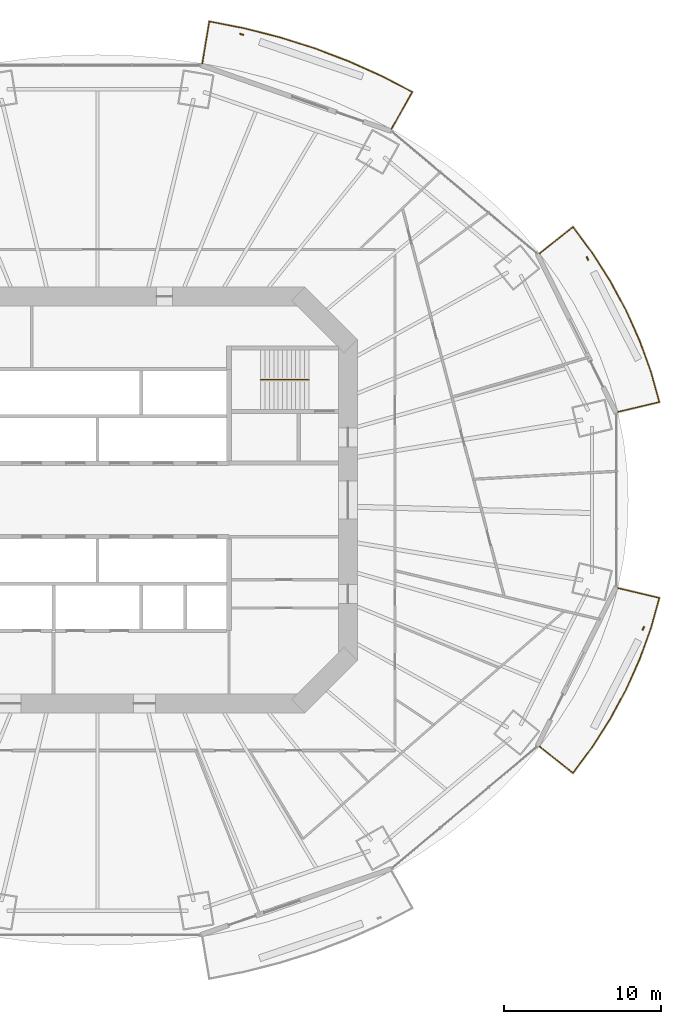
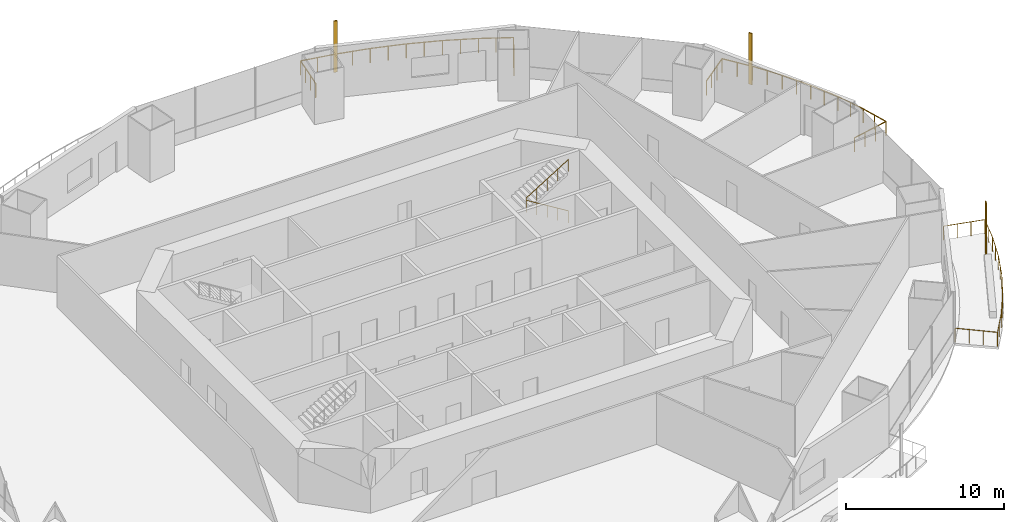
# One storey, part 20 of 21: 4 railings, 3 shading devices.
"""IFC4 building model written with IfcOpenShell, lengths in metres."""

from ifc_helpers import new_model, si_unit, direction, frame, origin, origin_2d, place, context, subcontext, project, spatial, rectangle, circle, extrude, material, material_profile, profile_set, type_object, element, save


model = new_model("IFC4")

# Units and contexts
model_context = context("Model", 3, precision=1e-05, world=origin(), true_north=direction((0.0, 1.0)))
body_context = subcontext(model_context, "Body", "Model", "MODEL_VIEW")
ifc_project = project(units=[si_unit("LENGTHUNIT", "METRE"), si_unit("AREAUNIT", "SQUARE_METRE"), si_unit("VOLUMEUNIT", "CUBIC_METRE"), si_unit("PLANEANGLEUNIT", "RADIAN"), si_unit("MASSUNIT", "GRAM", prefix="KILO")], contexts=[model_context])

# Site, building, storey
site_placement = place(None, origin())
site = spatial("IfcSite", under=ifc_project, at=site_placement, CompositionType="ELEMENT")
building_placement = place(site_placement, origin())
building = spatial("IfcBuilding", under=site, at=building_placement, Name="Marenthal Gate Tower", CompositionType="ELEMENT")
storey_placement = place(building_placement, frame((0.0, 0.0, 128.449951171875)))
storey = spatial("IfcBuildingStorey", under=building, at=storey_placement, Name="L27", CompositionType="ELEMENT", Elevation=128.449951171875)

# Railings
ifc_material_1 = material(Name="Stainless steel", Category="steel")
railing_type_1 = type_object("IfcRailingType", Name="Balcony guard 1100", PredefinedType="GUARDRAIL", material=ifc_material_1)
railing_1_placement = place(storey_placement, frame((28.239990234375, 15.739013671875, 0.0)))
element("IfcRailing", 1, at=railing_1_placement, inside=storey, type_object=railing_type_1, Name="Balcony guard L27 bay 1", PredefinedType="GUARDRAIL", context=body_context, shape_type="SweptSolid", body=[
    extrude(circle(Radius=0.02392578125, at=origin_2d()), frame((0.0, 0.0, 1.076171875), z_axis=(0.782384075223, 0.622622270256, -0.014719626974), x_axis=(-0.622689732199, 0.782468847568, 0.0)), (0.0, 0.0, 1.0), 2.72021484375),
    extrude(circle(Radius=0.02392578125, at=origin_2d()), frame((2.128173828125, 1.693603515625, 1.0361328125), z_axis=(0.594457150675, -0.804127288438, 0.0), x_axis=(0.804127288438, 0.594457150675, 0.0)), (0.0, 0.0, 1.0), 2.077392578125),
    extrude(circle(Radius=0.02392578125, at=origin_2d()), frame((3.363037109375, 0.023193359375, 1.0361328125), z_axis=(0.537259241166, -0.843417161185, 0.0), x_axis=(0.843417161185, 0.537259241166, 0.0)), (0.0, 0.0, 1.0), 2.140380859375),
    extrude(circle(Radius=0.02392578125, at=origin_2d()), frame((4.512939453125, -1.781982421875, 1.0361328125), z_axis=(0.475168488039, -0.879894827792, 0.0), x_axis=(0.879894827792, 0.475168488039, 0.0)), (0.0, 0.0, 1.0), 2.12451171875),
    extrude(circle(Radius=0.02392578125, at=origin_2d()), frame((5.5224609375, -3.6513671875, 1.0361328125), z_axis=(0.409344821555, -0.912379754853, 0.0), x_axis=(0.912379754853, 0.409344821555, 0.0)), (0.0, 0.0, 1.0), 2.11083984375),
    extrude(circle(Radius=0.02392578125, at=origin_2d()), frame((6.386474609375, -5.5771484375, 1.0361328125), z_axis=(0.340033207947, -0.940413429026, 0.0), x_axis=(0.940413429026, 0.340033207947, 0.0)), (0.0, 0.0, 1.0), 2.0986328125),
    extrude(circle(Radius=0.02392578125, at=origin_2d()), frame((7.10009765625, -7.55078125, 1.0361328125), z_axis=(0.269210641776, -0.963081320738, 0.0), x_axis=(0.963081320738, 0.269210641776, 0.0)), (0.0, 0.0, 1.0), 2.0087890625),
    extrude(circle(Radius=0.02392578125, at=origin_2d()), frame((7.640869140625, -9.4853515625, 1.0361328125), z_axis=(-0.972966930586, -0.230474963356, 0.014718806071), x_axis=(0.230499932836, -0.973072341074, 0.0)), (0.0, 0.0, 1.0), 2.72021484375),
    extrude(circle(Radius=0.02099609375, at=origin_2d()), origin(), (0.0, 0.0, 1.0), 1.052001953125),
    extrude(circle(Radius=0.02099609375, at=origin_2d()), frame((0.70947265625, 0.564453125, -0.013427734375)), (0.0, 0.0, 1.0), 1.052001953125),
    extrude(circle(Radius=0.02099609375, at=origin_2d()), frame((1.418701171875, 1.129150390625, -0.026611328125)), (0.0, 0.0, 1.0), 1.052001953125),
    extrude(circle(Radius=0.02099609375, at=origin_2d()), frame((2.128173828125, 1.693603515625, -0.0400390625)), (0.0, 0.0, 1.0), 1.052001953125),
    extrude(circle(Radius=0.02099609375, at=origin_2d()), frame((2.74560546875, 0.8583984375, -0.0400390625)), (0.0, 0.0, 1.0), 1.052001953125),
    extrude(circle(Radius=0.02099609375, at=origin_2d()), frame((3.363037109375, 0.023193359375, -0.0400390625)), (0.0, 0.0, 1.0), 1.052001953125),
    extrude(circle(Radius=0.02099609375, at=origin_2d()), frame((3.93798828125, -0.87939453125, -0.0400390625)), (0.0, 0.0, 1.0), 1.052001953125),
    extrude(circle(Radius=0.02099609375, at=origin_2d()), frame((4.512939453125, -1.781982421875, -0.0400390625)), (0.0, 0.0, 1.0), 1.052001953125),
    extrude(circle(Radius=0.02099609375, at=origin_2d()), frame((5.017578125, -2.716796875, -0.0400390625)), (0.0, 0.0, 1.0), 1.052001953125),
    extrude(circle(Radius=0.02099609375, at=origin_2d()), frame((5.5224609375, -3.6513671875, -0.0400390625)), (0.0, 0.0, 1.0), 1.052001953125),
    extrude(circle(Radius=0.02099609375, at=origin_2d()), frame((5.95458984375, -4.6142578125, -0.0400390625)), (0.0, 0.0, 1.0), 1.052001953125),
    extrude(circle(Radius=0.02099609375, at=origin_2d()), frame((6.386474609375, -5.5771484375, -0.0400390625)), (0.0, 0.0, 1.0), 1.052001953125),
    extrude(circle(Radius=0.02099609375, at=origin_2d()), frame((6.7431640625, -6.56396484375, -0.0400390625)), (0.0, 0.0, 1.0), 1.052001953125),
    extrude(circle(Radius=0.02099609375, at=origin_2d()), frame((7.10009765625, -7.55078125, -0.0400390625)), (0.0, 0.0, 1.0), 1.052001953125),
    extrude(circle(Radius=0.02099609375, at=origin_2d()), frame((7.37060546875, -8.51806640625, -0.0400390625)), (0.0, 0.0, 1.0), 1.052001953125),
    extrude(circle(Radius=0.02099609375, at=origin_2d()), frame((7.640869140625, -9.4853515625, -0.0400390625)), (0.0, 0.0, 1.0), 1.052001953125),
    extrude(circle(Radius=0.02099609375, at=origin_2d()), frame((6.758544921875, -9.6943359375, -0.026611328125)), (0.0, 0.0, 1.0), 1.052001953125),
    extrude(circle(Radius=0.02099609375, at=origin_2d()), frame((5.87646484375, -9.9033203125, -0.013427734375)), (0.0, 0.0, 1.0), 1.052001953125),
    extrude(circle(Radius=0.02099609375, at=origin_2d()), frame((4.994140625, -10.1123046875, 0.0)), (0.0, 0.0, 1.0), 1.052001953125),
])
railing_2_placement = place(storey_placement, frame((6.693115234375, 27.88232421875, 0.0)))
element("IfcRailing", 2, at=railing_2_placement, inside=storey, type_object=railing_type_1, Name="Balcony guard L27 bay 3", PredefinedType="GUARDRAIL", context=body_context, shape_type="SweptSolid", body=[
    extrude(circle(Radius=0.02392578125, at=origin_2d()), frame((0.0, 0.0, 1.076171875), z_axis=(0.164774109377, 0.986221507592, -0.014718384498), x_axis=(-0.986328347949, 0.164791959854, 0.0)), (0.0, 0.0, 1.0), 2.720458984375),
    extrude(circle(Radius=0.02392578125, at=origin_2d()), frame((0.4482421875, 2.682861328125, 1.0361328125), z_axis=(0.981203457672, -0.192976098658, 0.0), x_axis=(0.192976098658, 0.981203457672, 0.0)), (0.0, 0.0, 1.0), 2.2734375),
    extrude(circle(Radius=0.02392578125, at=origin_2d()), frame((2.678955078125, 2.244140625, 1.0361328125), z_axis=(0.969104417167, -0.246650823286, 0.0), x_axis=(0.246650823286, 0.969104417167, 0.0)), (0.0, 0.0, 1.0), 2.343994140625),
    extrude(circle(Radius=0.02392578125, at=origin_2d()), frame((4.950439453125, 1.666015625, 1.0361328125), z_axis=(0.953617459754, -0.301021162798, 0.0), x_axis=(0.301021162798, 0.953617459754, 0.0)), (0.0, 0.0, 1.0), 2.33251953125),
    extrude(circle(Radius=0.02392578125, at=origin_2d()), frame((7.1748046875, 0.9638671875, 1.0361328125), z_axis=(0.934727645052, -0.355364924515, 0.0), x_axis=(0.355364924515, 0.934727645052, 0.0)), (0.0, 0.0, 1.0), 2.3193359375),
    extrude(circle(Radius=0.02392578125, at=origin_2d()), frame((9.3427734375, 0.1396484375, 1.0361328125), z_axis=(0.912452038961, -0.409183670979, 0.0), x_axis=(0.409183670979, 0.912452038961, 0.0)), (0.0, 0.0, 1.0), 2.30419921875),
    extrude(circle(Radius=0.02392578125, at=origin_2d()), frame((11.4453125, -0.80322265625, 1.0361328125), z_axis=(0.887124453904, -0.461530284257, 0.0), x_axis=(0.461530284257, 0.887124453904, 0.0)), (0.0, 0.0, 1.0), 2.2080078125),
    extrude(circle(Radius=0.02392578125, at=origin_2d()), frame((13.404052734375, -1.822265625, 1.0361328125), z_axis=(-0.489197979897, -0.87204857286, 0.014718119373), x_axis=(0.872143041114, -0.489250974283, 0.0)), (0.0, 0.0, 1.0), 2.720458984375),
    extrude(circle(Radius=0.02099609375, at=origin_2d()), origin(), (0.0, 0.0, 1.0), 1.052001953125),
    extrude(circle(Radius=0.02099609375, at=origin_2d()), frame((0.1494140625, 0.894287109375, -0.013427734375)), (0.0, 0.0, 1.0), 1.052001953125),
    extrude(circle(Radius=0.02099609375, at=origin_2d()), frame((0.298828125, 1.78857421875, -0.026611328125)), (0.0, 0.0, 1.0), 1.052001953125),
    extrude(circle(Radius=0.02099609375, at=origin_2d()), frame((0.4482421875, 2.682861328125, -0.0400390625)), (0.0, 0.0, 1.0), 1.052001953125),
    extrude(circle(Radius=0.02099609375, at=origin_2d()), frame((1.5634765625, 2.46337890625, -0.0400390625)), (0.0, 0.0, 1.0), 1.052001953125),
    extrude(circle(Radius=0.02099609375, at=origin_2d()), frame((2.678955078125, 2.244140625, -0.0400390625)), (0.0, 0.0, 1.0), 1.052001953125),
    extrude(circle(Radius=0.02099609375, at=origin_2d()), frame((3.814697265625, 1.955078125, -0.0400390625)), (0.0, 0.0, 1.0), 1.052001953125),
    extrude(circle(Radius=0.02099609375, at=origin_2d()), frame((4.950439453125, 1.666015625, -0.0400390625)), (0.0, 0.0, 1.0), 1.052001953125),
    extrude(circle(Radius=0.02099609375, at=origin_2d()), frame((6.0625, 1.31494140625, -0.0400390625)), (0.0, 0.0, 1.0), 1.052001953125),
    extrude(circle(Radius=0.02099609375, at=origin_2d()), frame((7.1748046875, 0.9638671875, -0.0400390625)), (0.0, 0.0, 1.0), 1.052001953125),
    extrude(circle(Radius=0.02099609375, at=origin_2d()), frame((8.2587890625, 0.5517578125, -0.0400390625)), (0.0, 0.0, 1.0), 1.052001953125),
    extrude(circle(Radius=0.02099609375, at=origin_2d()), frame((9.3427734375, 0.1396484375, -0.0400390625)), (0.0, 0.0, 1.0), 1.052001953125),
    extrude(circle(Radius=0.02099609375, at=origin_2d()), frame((10.39404296875, -0.331787109375, -0.0400390625)), (0.0, 0.0, 1.0), 1.052001953125),
    extrude(circle(Radius=0.02099609375, at=origin_2d()), frame((11.4453125, -0.80322265625, -0.0400390625)), (0.0, 0.0, 1.0), 1.052001953125),
    extrude(circle(Radius=0.02099609375, at=origin_2d()), frame((12.4248046875, -1.312744140625, -0.0400390625)), (0.0, 0.0, 1.0), 1.052001953125),
    extrude(circle(Radius=0.02099609375, at=origin_2d()), frame((13.404052734375, -1.822265625, -0.0400390625)), (0.0, 0.0, 1.0), 1.052001953125),
    extrude(circle(Radius=0.02099609375, at=origin_2d()), frame((12.96044921875, -2.613037109375, -0.026611328125)), (0.0, 0.0, 1.0), 1.052001953125),
    extrude(circle(Radius=0.02099609375, at=origin_2d()), frame((12.516845703125, -3.40380859375, -0.013427734375)), (0.0, 0.0, 1.0), 1.052001953125),
    extrude(circle(Radius=0.02099609375, at=origin_2d()), frame((12.0732421875, -4.194580078125, 0.0)), (0.0, 0.0, 1.0), 1.052001953125),
])
railing_3_placement = place(storey_placement, frame((33.234130859375, -5.626708984375, 0.0)))
element("IfcRailing", 3, at=railing_3_placement, inside=storey, type_object=railing_type_1, Name="Balcony guard L27 bay 15", PredefinedType="GUARDRAIL", context=body_context, shape_type="SweptSolid", body=[
    extrude(circle(Radius=0.02392578125, at=origin_2d()), frame((0.0, 0.0, 1.076171875), z_axis=(0.972966930586, -0.230474963356, -0.014718806071), x_axis=(0.230499932836, 0.973072341074, 0.0)), (0.0, 0.0, 1.0), 2.72021484375),
    extrude(circle(Radius=0.02392578125, at=origin_2d()), frame((2.646728515625, -0.626953125, 1.0361328125), z_axis=(-0.269210641776, -0.963081320738, 0.0), x_axis=(0.963081320738, -0.269210641776, 0.0)), (0.0, 0.0, 1.0), 2.0087890625),
    extrude(circle(Radius=0.02392578125, at=origin_2d()), frame((2.10595703125, -2.5615234375, 1.0361328125), z_axis=(-0.340033207947, -0.940413429026, 0.0), x_axis=(0.940413429026, -0.340033207947, 0.0)), (0.0, 0.0, 1.0), 2.0986328125),
    extrude(circle(Radius=0.02392578125, at=origin_2d()), frame((1.392333984375, -4.53515625, 1.0361328125), z_axis=(-0.409344821555, -0.912379754853, 0.0), x_axis=(0.912379754853, -0.409344821555, 0.0)), (0.0, 0.0, 1.0), 2.11083984375),
    extrude(circle(Radius=0.02392578125, at=origin_2d()), frame((0.5283203125, -6.4609375, 1.0361328125), z_axis=(-0.475168488039, -0.879894827792, 0.0), x_axis=(0.879894827792, -0.475168488039, 0.0)), (0.0, 0.0, 1.0), 2.12451171875),
    extrude(circle(Radius=0.02392578125, at=origin_2d()), frame((-0.481201171875, -8.330322265625, 1.0361328125), z_axis=(-0.537259241166, -0.843417161185, 0.0), x_axis=(0.843417161185, -0.537259241166, 0.0)), (0.0, 0.0, 1.0), 2.140380859375),
    extrude(circle(Radius=0.02392578125, at=origin_2d()), frame((-1.631103515625, -10.135498046875, 1.0361328125), z_axis=(-0.594457150675, -0.804127288438, 0.0), x_axis=(0.804127288438, -0.594457150675, 0.0)), (0.0, 0.0, 1.0), 2.077392578125),
    extrude(circle(Radius=0.02392578125, at=origin_2d()), frame((-2.865966796875, -11.805908203125, 1.0361328125), z_axis=(-0.782384075223, 0.622622270256, 0.014719626974), x_axis=(-0.622689732199, -0.782468847568, 0.0)), (0.0, 0.0, 1.0), 2.72021484375),
    extrude(circle(Radius=0.02099609375, at=origin_2d()), origin(), (0.0, 0.0, 1.0), 1.052001953125),
    extrude(circle(Radius=0.02099609375, at=origin_2d()), frame((0.88232421875, -0.208984375, -0.013427734375)), (0.0, 0.0, 1.0), 1.052001953125),
    extrude(circle(Radius=0.02099609375, at=origin_2d()), frame((1.764404296875, -0.41796875, -0.026611328125)), (0.0, 0.0, 1.0), 1.052001953125),
    extrude(circle(Radius=0.02099609375, at=origin_2d()), frame((2.646728515625, -0.626953125, -0.0400390625)), (0.0, 0.0, 1.0), 1.052001953125),
    extrude(circle(Radius=0.02099609375, at=origin_2d()), frame((2.37646484375, -1.59423828125, -0.0400390625)), (0.0, 0.0, 1.0), 1.052001953125),
    extrude(circle(Radius=0.02099609375, at=origin_2d()), frame((2.10595703125, -2.5615234375, -0.0400390625)), (0.0, 0.0, 1.0), 1.052001953125),
    extrude(circle(Radius=0.02099609375, at=origin_2d()), frame((1.7490234375, -3.54833984375, -0.0400390625)), (0.0, 0.0, 1.0), 1.052001953125),
    extrude(circle(Radius=0.02099609375, at=origin_2d()), frame((1.392333984375, -4.53515625, -0.0400390625)), (0.0, 0.0, 1.0), 1.052001953125),
    extrude(circle(Radius=0.02099609375, at=origin_2d()), frame((0.96044921875, -5.498046875, -0.0400390625)), (0.0, 0.0, 1.0), 1.052001953125),
    extrude(circle(Radius=0.02099609375, at=origin_2d()), frame((0.5283203125, -6.4609375, -0.0400390625)), (0.0, 0.0, 1.0), 1.052001953125),
    extrude(circle(Radius=0.02099609375, at=origin_2d()), frame((0.0234375, -7.3955078125, -0.0400390625)), (0.0, 0.0, 1.0), 1.052001953125),
    extrude(circle(Radius=0.02099609375, at=origin_2d()), frame((-0.481201171875, -8.330322265625, -0.0400390625)), (0.0, 0.0, 1.0), 1.052001953125),
    extrude(circle(Radius=0.02099609375, at=origin_2d()), frame((-1.05615234375, -9.23291015625, -0.0400390625)), (0.0, 0.0, 1.0), 1.052001953125),
    extrude(circle(Radius=0.02099609375, at=origin_2d()), frame((-1.631103515625, -10.135498046875, -0.0400390625)), (0.0, 0.0, 1.0), 1.052001953125),
    extrude(circle(Radius=0.02099609375, at=origin_2d()), frame((-2.24853515625, -10.970703125, -0.0400390625)), (0.0, 0.0, 1.0), 1.052001953125),
    extrude(circle(Radius=0.02099609375, at=origin_2d()), frame((-2.865966796875, -11.805908203125, -0.0400390625)), (0.0, 0.0, 1.0), 1.052001953125),
    extrude(circle(Radius=0.02099609375, at=origin_2d()), frame((-3.575439453125, -11.241455078125, -0.026611328125)), (0.0, 0.0, 1.0), 1.052001953125),
    extrude(circle(Radius=0.02099609375, at=origin_2d()), frame((-4.28466796875, -10.6767578125, -0.013427734375)), (0.0, 0.0, 1.0), 1.052001953125),
    extrude(circle(Radius=0.02099609375, at=origin_2d()), frame((-4.994140625, -10.1123046875, 0.0)), (0.0, 0.0, 1.0), 1.052001953125),
])
ifc_material_2 = material(Name="Stainless steel", Category="steel")
railing_type_2 = type_object("IfcRailingType", Name="Stair handrail", PredefinedType="HANDRAIL", material=ifc_material_2)
railing_4_placement = place(storey_placement, frame((13.5, 7.675048828125, 0.1728515625)))
element("IfcRailing", 4, at=railing_4_placement, inside=storey, type_object=railing_type_2, Name="Handrail ST3", PredefinedType="HANDRAIL", context=body_context, shape_type="SweptSolid", body=[
    extrude(circle(Radius=0.0224609375, at=origin_2d()), frame((0.0, 0.0, 0.927490234375), z_axis=(-0.850835241893, 0.0, 0.525432575268), x_axis=(0.0, -1.0, 0.0)), (0.0, 0.0, 1.0), 3.6201171875),
    extrude(circle(Radius=0.0224609375, at=origin_2d()), frame((-3.080078125, 0.0, 2.82958984375), z_axis=(0.0, 0.0, 1.0), x_axis=(1.0, 0.0, 0.0)), (0.0, 0.0, 1.0), 0.173095703125),
    extrude(circle(Radius=0.0224609375, at=origin_2d()), frame((-3.080078125, 0.0, 3.002685546875), z_axis=(0.850835241893, 0.0, 0.525432575268), x_axis=(0.0, 1.0, 0.0)), (0.0, 0.0, 1.0), 3.6201171875),
    extrude(circle(Radius=0.02001953125, at=origin_2d()), origin(), (0.0, 0.0, 1.0), 0.905029296875),
    extrude(circle(Radius=0.02001953125, at=origin_2d()), frame((-0.77001953125, 0.0, 0.4755859375)), (0.0, 0.0, 1.0), 0.905029296875),
    extrude(circle(Radius=0.02001953125, at=origin_2d()), frame((-1.5400390625, 0.0, 0.951171875)), (0.0, 0.0, 1.0), 0.905029296875),
    extrude(circle(Radius=0.02001953125, at=origin_2d()), frame((-2.31005859375, 0.0, 1.426513671875)), (0.0, 0.0, 1.0), 0.905029296875),
    extrude(circle(Radius=0.02001953125, at=origin_2d()), frame((-3.080078125, 0.0, 1.902099609375)), (0.0, 0.0, 1.0), 0.905029296875),
    extrude(circle(Radius=0.02001953125, at=origin_2d()), frame((-3.080078125, 0.0, 2.0751953125)), (0.0, 0.0, 1.0), 0.905029296875),
    extrude(circle(Radius=0.02001953125, at=origin_2d()), frame((-2.31005859375, 0.0, 2.55078125)), (0.0, 0.0, 1.0), 0.905029296875),
    extrude(circle(Radius=0.02001953125, at=origin_2d()), frame((-1.5400390625, 0.0, 3.0263671875)), (0.0, 0.0, 1.0), 0.905029296875),
    extrude(circle(Radius=0.02001953125, at=origin_2d()), frame((-0.77001953125, 0.0, 3.501708984375)), (0.0, 0.0, 1.0), 0.905029296875),
    extrude(circle(Radius=0.02001953125, at=origin_2d()), frame((0.0, 0.0, 3.977294921875)), (0.0, 0.0, 1.0), 0.905029296875),
])

# Shading devices
ifc_material_3 = material(Name="Terracotta", Category="masonry")
ifc_material_profile = material_profile(ifc_material_3, rectangle(XDim=0.25, YDim=0.080078125, at=origin_2d()), Name="Terracotta baguette 250x80")
ifc_profile_set = profile_set([ifc_material_profile], Name="Terracotta")
shading_device_type = type_object("IfcShadingDeviceType", Name="Terracotta BAGUETTE SCREEN 250x80", PredefinedType="USERDEFINED", material=ifc_profile_set)
for number, where, z_axis, x_axis, name in (
    (5, (31.29296875, 15.42333984375, -0.0400390625), (0.0, 0.0, 1.0), (-0.442657811607, 0.896690616558, 0.0), "Terracotta BAGUETTE L27 bay 1R"),
    (6, (9.20361328125, 29.742919921875, -0.0400390625), (0.0, 0.0, 1.0), (-0.944576320007, 0.328291906207, 0.0), "Terracotta BAGUETTE L27 bay 3R"),
    (7, (34.85888671875, -8.199462890625, -0.0400390625), (0.0, 0.0, 1.0), (0.442657811607, 0.896690616558, 0.0), "Terracotta BAGUETTE L27 bay 15R"),
):
    element("IfcShadingDevice", number, at=place(storey_placement, frame(where, z_axis=z_axis, x_axis=x_axis)), inside=storey, type_object=shading_device_type, Name=name, ObjectType="BAGUETTE SCREEN", PredefinedType="USERDEFINED", context=body_context, shape_type="SweptSolid", body=[
        extrude(rectangle(XDim=0.25, YDim=0.080078125, at=origin_2d()), origin(), (0.0, 0.0, 1.0), 3.969970703125),
    ])

save(model, "model.ifc")
